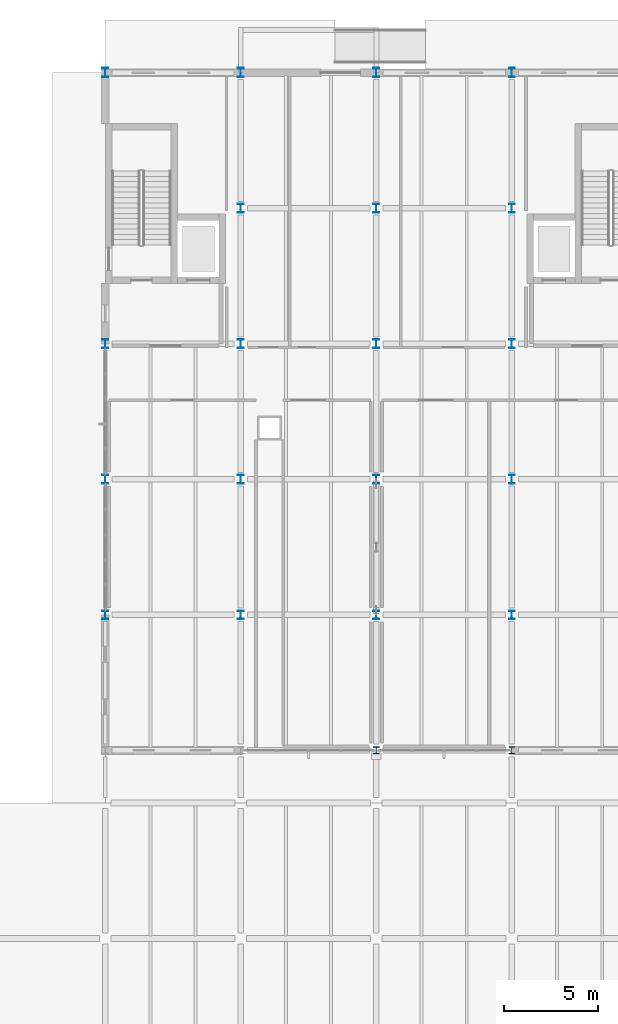
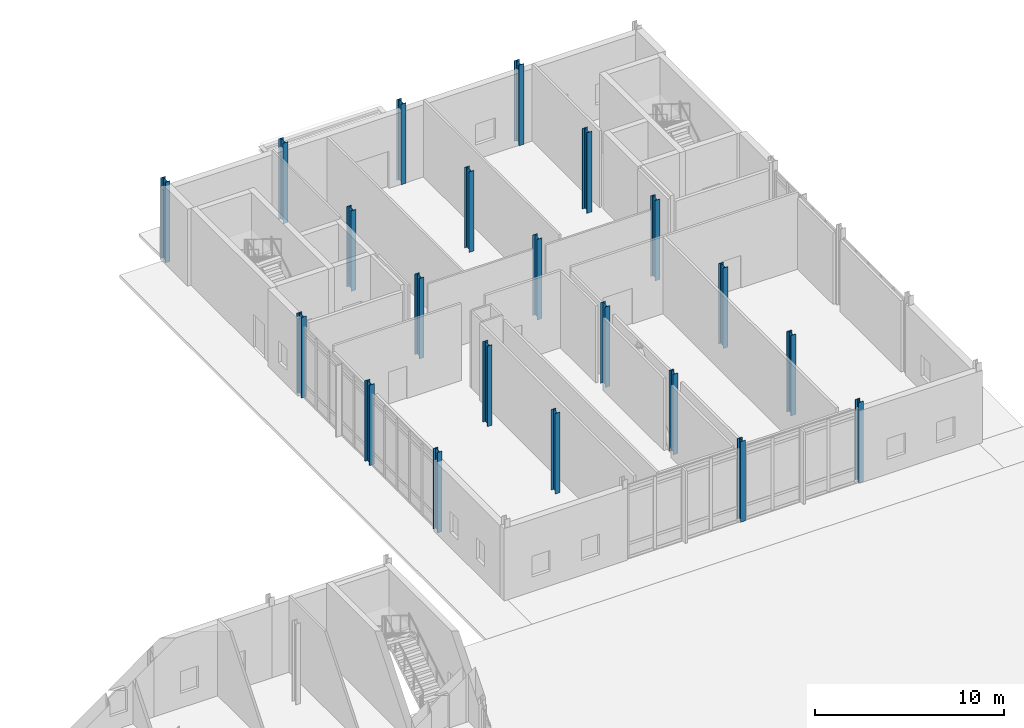
# One storey, part 8 of 89: 21 columns.
"""IFC4 building model written with IfcOpenShell, lengths in metres."""

import ifcopenshell
import ifcopenshell.guid

model = None  # the IFC model being written
_history = None  # IfcOwnerHistory: only IFC2X3 demands one
_inside = {}  # id of a spatial element -> (the spatial element, [elements in it])
_under = {}  # id of a project, library or spatial element -> (it, [spatial elements below it])
_declared = {}  # id of a project -> (the project, [libraries it declares])
_typed = {}  # id of a type object -> (the type object, [elements of that type])
_made_of = {}  # id of a material, layer set ... -> (it, [elements and type objects made of it])


def new_model(schema):
    """Start an empty IFC model of exactly this schema.

    Asked for "IFC4X3", IfcOpenShell would pick the latest addendum, in which some entities
    have other attributes; the version numbers below select the first issue.
    IFC2X3 requires an IfcOwnerHistory on every rooted entity: one is made here for all.
    """
    global model, _history
    if schema == "IFC4X3":
        model = ifcopenshell.file(schema_version=(4, 3, 0, 0))
    else:
        model = ifcopenshell.file(schema=schema)
    _inside.clear()
    _under.clear()
    _declared.clear()
    _typed.clear()
    _made_of.clear()
    _history = None
    if model.schema == "IFC2X3":
        org = make("IfcOrganization", Name="unknown")
        user = make(
            "IfcPersonAndOrganization",
            ThePerson=make("IfcPerson", FamilyName="unknown"),
            TheOrganization=org,
        )
        app = make(
            "IfcApplication",
            ApplicationDeveloper=org,
            Version="unknown",
            ApplicationFullName="unknown",
            ApplicationIdentifier="unknown",
        )
        _history = make(
            "IfcOwnerHistory",
            OwningUser=user,
            OwningApplication=app,
            ChangeAction="ADDED",
            CreationDate=0,
        )
    return model


def make(cls, **values):
    """One entity of the class cls with the attributes given. An attribute that is None is left unset."""
    return model.create_entity(
        cls, **{name: value for name, value in values.items() if value is not None}
    )


def rooted(cls, **values):
    """An entity with a GlobalId (a new one), such as an element, a storey or a relation."""
    return make(cls, GlobalId=ifcopenshell.guid.new(), OwnerHistory=_history, **values)


def si_unit(unit_type, name, prefix=None):
    """IfcSIUnit, for example si_unit("LENGTHUNIT", "METRE", prefix="MILLI")."""
    return make("IfcSIUnit", UnitType=unit_type, Prefix=prefix, Name=name)


def assignment(units):
    """IfcUnitAssignment: the units of a project."""
    return None if units is None else make("IfcUnitAssignment", Units=units)


def point(xyz):
    """IfcCartesianPoint."""
    return None if xyz is None else make("IfcCartesianPoint", Coordinates=xyz)


def direction(xyz):
    """IfcDirection."""
    return None if xyz is None else make("IfcDirection", DirectionRatios=xyz)


def frame(location, z_axis=None, x_axis=None):
    """IfcAxis2Placement3D, a coordinate frame: its origin and axes. An axis left out is left unset."""
    return make(
        "IfcAxis2Placement3D",
        Location=point(location),
        Axis=direction(z_axis),
        RefDirection=direction(x_axis),
    )


def frame_2d(location, x_axis=None):
    """IfcAxis2Placement2D, a coordinate frame in the plane: its origin and x axis."""
    return make(
        "IfcAxis2Placement2D", Location=point(location), RefDirection=direction(x_axis)
    )


def origin():
    """The frame at (0, 0, 0) with its axes left unset."""
    return frame((0.0, 0.0, 0.0))


def origin_2d():
    """The frame at (0, 0) in the plane with its x axis left unset."""
    return frame_2d((0.0, 0.0))


def place(relative_to, where):
    """IfcLocalPlacement: puts the frame where relative to a parent placement (None: the world)."""
    return make(
        "IfcLocalPlacement", PlacementRelTo=relative_to, RelativePlacement=where
    )


def context(
    kind, dimensions, precision=None, world=None, true_north=None, identifier=None
):
    """IfcGeometricRepresentationContext, for example the 3D "Model" context."""
    return make(
        "IfcGeometricRepresentationContext",
        ContextIdentifier=identifier,
        ContextType=kind,
        CoordinateSpaceDimension=dimensions,
        Precision=precision,
        WorldCoordinateSystem=world,
        TrueNorth=true_north,
    )


def subcontext(parent, identifier, kind, view, scale=None):
    """IfcGeometricRepresentationSubContext, for example "Body" below "Model"."""
    return make(
        "IfcGeometricRepresentationSubContext",
        ContextIdentifier=identifier,
        ContextType=kind,
        ParentContext=parent,
        TargetScale=scale,
        TargetView=view,
    )


def project(units=None, contexts=None):
    """IfcProject with its units and contexts."""
    return rooted(
        "IfcProject",
        Name="project",
        RepresentationContexts=contexts,
        UnitsInContext=assignment(units),
    )


def spatial(cls, under=None, at=None, **own):
    """A site, building, storey or space (cls), placed at a placement, below another one or the project."""
    s = rooted(cls, ObjectPlacement=at, **own)
    if under is not None:
        _under.setdefault(under.id(), (under, []))[1].append(s)
    return s


def profile(cls, at=None, kind="AREA", **sizes):
    """A parametric profile (cls). Its sizes go by their IFC names, for example OverallWidth=200.0."""
    return make(cls, ProfileType=kind, Position=at, **sizes)


def i_section(**sizes):
    """IfcIShapeProfileDef."""
    return profile("IfcIShapeProfileDef", **sizes)


def extrude(swept, where, along, depth):
    """IfcExtrudedAreaSolid: the profile swept, set in the frame where, extruded along a direction by depth."""
    return make(
        "IfcExtrudedAreaSolid",
        SweptArea=swept,
        Position=where,
        ExtrudedDirection=direction(along),
        Depth=depth,
    )


def shape(context_of_items, identifier, shape_type, items):
    """IfcShapeRepresentation: the items that make up one representation, for example the "Body"."""
    return make(
        "IfcShapeRepresentation",
        ContextOfItems=context_of_items,
        RepresentationIdentifier=identifier,
        RepresentationType=shape_type,
        Items=items,
    )


def material(Name=None, Category=None):
    """IfcMaterial."""
    return make("IfcMaterial", Name=Name, Category=Category)


def material_profile(
    of_material, cross_section, Name=None, Category=None, Priority=None
):
    """IfcMaterialProfile: a cross section and its material."""
    return make(
        "IfcMaterialProfile",
        Name=Name,
        Material=of_material,
        Profile=cross_section,
        Priority=Priority,
        Category=Category,
    )


def profile_set(profiles, Name=None, composite=None):
    """IfcMaterialProfileSet."""
    return make(
        "IfcMaterialProfileSet",
        Name=Name,
        MaterialProfiles=profiles,
        CompositeProfile=composite,
    )


def made_of(thing, what):
    """Note that an element or type object is made of a material, layer set ...; save() writes the relation."""
    if what is not None:
        _made_of.setdefault(what.id(), (what, []))[1].append(thing)
    return thing


def type_object(cls, material=None, **own):
    """A type object (cls), such as IfcWallType, which elements share."""
    return made_of(rooted(cls, **own), material)


def element(
    cls,
    number,
    at=None,
    inside=None,
    cuts=None,
    type_object=None,
    material=None,
    context=None,
    identifier="Body",
    shape_type=None,
    held_by="IfcProductDefinitionShape",
    body=None,
    shapes=None,
    **own,
):
    """One element of the class cls, such as IfcWall. Its Tag is "e" and its number.

    at: its placement. inside: the storey or other place that contains it. cuts: it is an
    opening in that element (IfcRelVoidsElement). A single representation is given by context,
    identifier, shape_type and body (its items); several are given by shapes. held_by: the class
    of the entity that holds the representations. save() writes the other relations.
    """
    e = rooted(cls, Tag="e%d" % number, ObjectPlacement=at, **own)
    if body is not None:
        shapes = [shape(context, identifier, shape_type, body)]
    if shapes is not None:
        e.Representation = make(held_by, Representations=shapes)
    if inside is not None:
        _inside.setdefault(inside.id(), (inside, []))[1].append(e)
    if cuts is not None:
        rooted(
            "IfcRelVoidsElement", RelatingBuildingElement=cuts, RelatedOpeningElement=e
        )
    if type_object is not None:
        _typed.setdefault(type_object.id(), (type_object, []))[1].append(e)
    return made_of(e, material)


def aggregate(whole, parts):
    """IfcRelAggregates: a whole, such as a stair, and the parts it consists of."""
    return rooted("IfcRelAggregates", RelatingObject=whole, RelatedObjects=parts)


def save(model, path):
    """Write the relations noted so far, then the file.

    IfcRelAggregates (storeys below a building ...), IfcRelContainedInSpatialStructure (elements
    in a storey), IfcRelDefinesByType, IfcRelAssociatesMaterial and IfcRelDeclares: one each for
    every whole, place, type object, material and project.
    """
    for whole, parts in _under.values():
        aggregate(whole, parts)
    for where, things in _inside.values():
        rooted(
            "IfcRelContainedInSpatialStructure",
            RelatedElements=things,
            RelatingStructure=where,
        )
    for kind, things in _typed.values():
        rooted("IfcRelDefinesByType", RelatedObjects=things, RelatingType=kind)
    for what, things in _made_of.values():
        rooted("IfcRelAssociatesMaterial", RelatedObjects=things, RelatingMaterial=what)
    for by, libraries in _declared.values():
        rooted("IfcRelDeclares", RelatingContext=by, RelatedDefinitions=libraries)
    model.write(path)


model = new_model("IFC4")

# Units and contexts
model_context = context("Model", 3, precision=1e-05, world=origin(), true_north=direction((0.0, 1.0)))
body_context = subcontext(model_context, "Body", "Model", "MODEL_VIEW")
ifc_project = project(units=[si_unit("LENGTHUNIT", "METRE"), si_unit("AREAUNIT", "SQUARE_METRE"), si_unit("VOLUMEUNIT", "CUBIC_METRE"), si_unit("PLANEANGLEUNIT", "RADIAN"), si_unit("MASSUNIT", "GRAM", prefix="KILO")], contexts=[model_context])

# Site, building, storey
site_placement = place(None, origin())
site = spatial("IfcSite", under=ifc_project, at=site_placement, CompositionType="ELEMENT")
building_placement = place(site_placement, origin())
building = spatial("IfcBuilding", under=site, at=building_placement, Name="Zarrinpeak Specialist Clinic", CompositionType="ELEMENT")
storey_placement = place(building_placement, origin())
storey = spatial("IfcBuildingStorey", under=building, at=storey_placement, Name="L00", CompositionType="ELEMENT", Elevation=0.0)

# Columns
ifc_material = material(Name="Steel S355", Category="steel")
ifc_material_profile_1 = material_profile(ifc_material, i_section(OverallWidth=0.300048828125, OverallDepth=0.360107421875, WebThickness=0.012451171875, FlangeThickness=0.0224609375, FilletRadius=0.027099609375, at=origin_2d()), Name="HEB 360")
ifc_profile_set_1 = profile_set([ifc_material_profile_1], Name="Steel S355")
column_type_1 = type_object("IfcColumnType", Name="COL-HEB360", PredefinedType="COLUMN", material=ifc_profile_set_1)
for number, where, z_axis, x_axis, name in (
    (1, (50.39990234375, 82.0, 0.0), (0.0, 0.0, 1.0), (1.0, 0.0, 0.0), "L00 Structural Column COL-L00-095"),
    (2, (57.60009765625, 82.0, 0.0), (0.0, 0.0, 1.0), (1.0, 0.0, 0.0), "L00 Structural Column COL-L00-105"),
):
    element("IfcColumn", number, at=place(storey_placement, frame(where, z_axis=z_axis, x_axis=x_axis)), inside=storey, type_object=column_type_1, Name=name, PredefinedType="COLUMN", context=body_context, shape_type="SweptSolid", body=[
        extrude(i_section(OverallWidth=0.300048828125, OverallDepth=0.360107421875, WebThickness=0.012451171875, FlangeThickness=0.0224609375, FilletRadius=0.027099609375, at=origin_2d()), origin(), (0.0, 0.0, 1.0), 5.199951171875),
    ])
ifc_material_profile_2 = material_profile(ifc_material, i_section(OverallWidth=0.300048828125, OverallDepth=0.449951171875, WebThickness=0.013916015625, FlangeThickness=0.02587890625, FilletRadius=0.027099609375, at=origin_2d()), Name="HEB 450")
ifc_profile_set_2 = profile_set([ifc_material_profile_2], Name="Steel S355")
column_type_2 = type_object("IfcColumnType", Name="COL-HEB450", PredefinedType="COLUMN", material=ifc_profile_set_2)
for number, where, z_axis, x_axis, name in (
    (3, (36.0, 89.199951171875, 0.0), (0.0, 0.0, 1.0), (1.0, 0.0, 0.0), "L00 Structural Column COL-L00-075"),
    (4, (43.199951171875, 89.199951171875, 0.0), (0.0, 0.0, 1.0), (1.0, 0.0, 0.0), "L00 Structural Column COL-L00-085"),
    (5, (50.39990234375, 89.199951171875, 0.0), (0.0, 0.0, 1.0), (1.0, 0.0, 0.0), "L00 Structural Column COL-L00-096"),
    (6, (57.60009765625, 89.199951171875, 0.0), (0.0, 0.0, 1.0), (1.0, 0.0, 0.0), "L00 Structural Column COL-L00-106"),
):
    element("IfcColumn", number, at=place(storey_placement, frame(where, z_axis=z_axis, x_axis=x_axis)), inside=storey, type_object=column_type_2, Name=name, PredefinedType="COLUMN", context=body_context, shape_type="SweptSolid", body=[
        extrude(i_section(OverallWidth=0.300048828125, OverallDepth=0.449951171875, WebThickness=0.013916015625, FlangeThickness=0.02587890625, FilletRadius=0.027099609375, at=origin_2d()), origin(), (0.0, 0.0, 1.0), 5.199951171875),
    ])
ifc_material_profile_3 = material_profile(ifc_material, i_section(OverallWidth=0.300048828125, OverallDepth=0.5, WebThickness=0.014404296875, FlangeThickness=0.028076171875, FilletRadius=0.027099609375, at=origin_2d()), Name="HEB 500")
ifc_profile_set_3 = profile_set([ifc_material_profile_3], Name="Steel S355")
column_type_3 = type_object("IfcColumnType", Name="COL-HEB500", PredefinedType="COLUMN", material=ifc_profile_set_3)
for number, where, z_axis, x_axis, name in (
    (7, (36.0, 96.39990234375, 0.0), (0.0, 0.0, 1.0), (1.0, 0.0, 0.0), "L00 Structural Column COL-L00-076"),
    (8, (36.0, 103.60009765625, 0.0), (0.0, 0.0, 1.0), (1.0, 0.0, 0.0), "L00 Structural Column COL-L00-077"),
    (9, (36.0, 118.0, 0.0), (0.0, 0.0, 1.0), (1.0, 0.0, 0.0), "L00 Structural Column COL-L00-078"),
    (10, (43.199951171875, 96.39990234375, 0.0), (0.0, 0.0, 1.0), (1.0, 0.0, 0.0), "L00 Structural Column COL-L00-086"),
    (11, (43.199951171875, 103.60009765625, 0.0), (0.0, 0.0, 1.0), (1.0, 0.0, 0.0), "L00 Structural Column COL-L00-087"),
    (12, (43.199951171875, 110.800048828125, 0.0), (0.0, 0.0, 1.0), (1.0, 0.0, 0.0), "L00 Structural Column COL-L00-088"),
    (13, (43.199951171875, 118.0, 0.0), (0.0, 0.0, 1.0), (1.0, 0.0, 0.0), "L00 Structural Column COL-L00-089"),
    (14, (50.39990234375, 96.39990234375, 0.0), (0.0, 0.0, 1.0), (1.0, 0.0, 0.0), "L00 Structural Column COL-L00-097"),
    (15, (50.39990234375, 103.60009765625, 0.0), (0.0, 0.0, 1.0), (1.0, 0.0, 0.0), "L00 Structural Column COL-L00-098"),
    (16, (50.39990234375, 110.800048828125, 0.0), (0.0, 0.0, 1.0), (1.0, 0.0, 0.0), "L00 Structural Column COL-L00-099"),
    (17, (50.39990234375, 118.0, 0.0), (0.0, 0.0, 1.0), (1.0, 0.0, 0.0), "L00 Structural Column COL-L00-100"),
    (18, (57.60009765625, 96.39990234375, 0.0), (0.0, 0.0, 1.0), (1.0, 0.0, 0.0), "L00 Structural Column COL-L00-107"),
    (19, (57.60009765625, 103.60009765625, 0.0), (0.0, 0.0, 1.0), (1.0, 0.0, 0.0), "L00 Structural Column COL-L00-108"),
    (20, (57.60009765625, 110.800048828125, 0.0), (0.0, 0.0, 1.0), (1.0, 0.0, 0.0), "L00 Structural Column COL-L00-109"),
    (21, (57.60009765625, 118.0, 0.0), (0.0, 0.0, 1.0), (1.0, 0.0, 0.0), "L00 Structural Column COL-L00-110"),
):
    element("IfcColumn", number, at=place(storey_placement, frame(where, z_axis=z_axis, x_axis=x_axis)), inside=storey, type_object=column_type_3, Name=name, PredefinedType="COLUMN", context=body_context, shape_type="SweptSolid", body=[
        extrude(i_section(OverallWidth=0.300048828125, OverallDepth=0.5, WebThickness=0.014404296875, FlangeThickness=0.028076171875, FilletRadius=0.027099609375, at=origin_2d()), origin(), (0.0, 0.0, 1.0), 5.199951171875),
    ])

save(model, "model.ifc")
